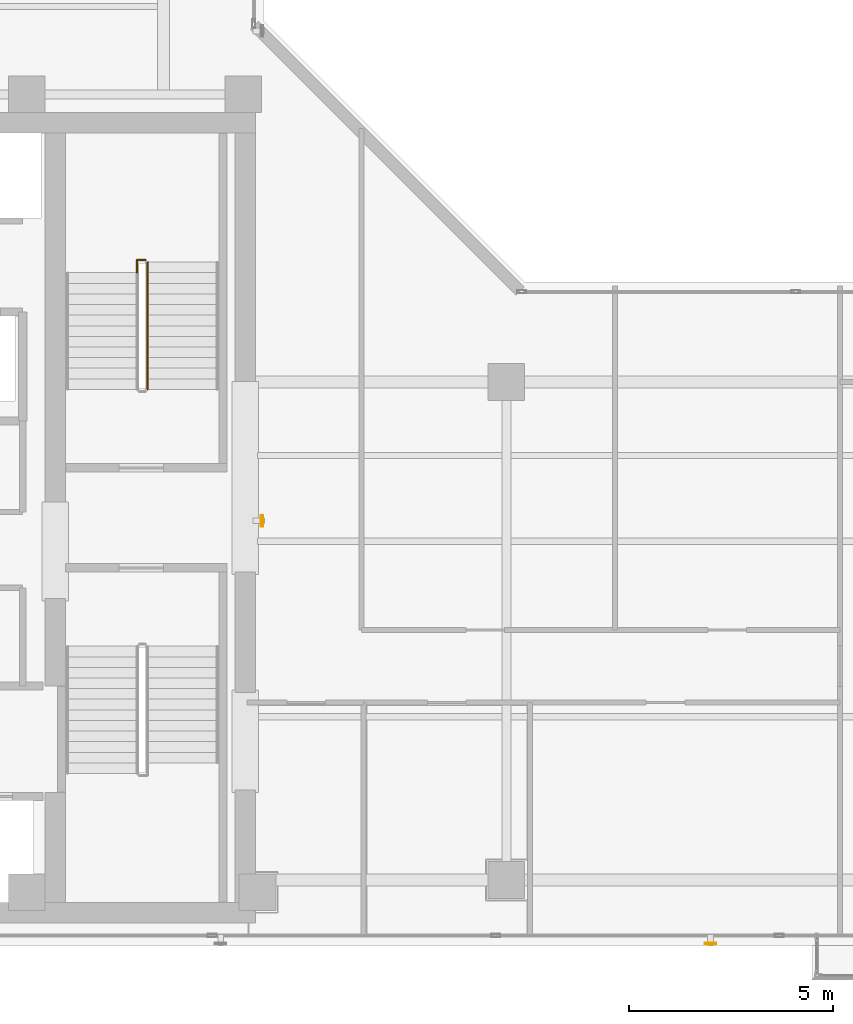
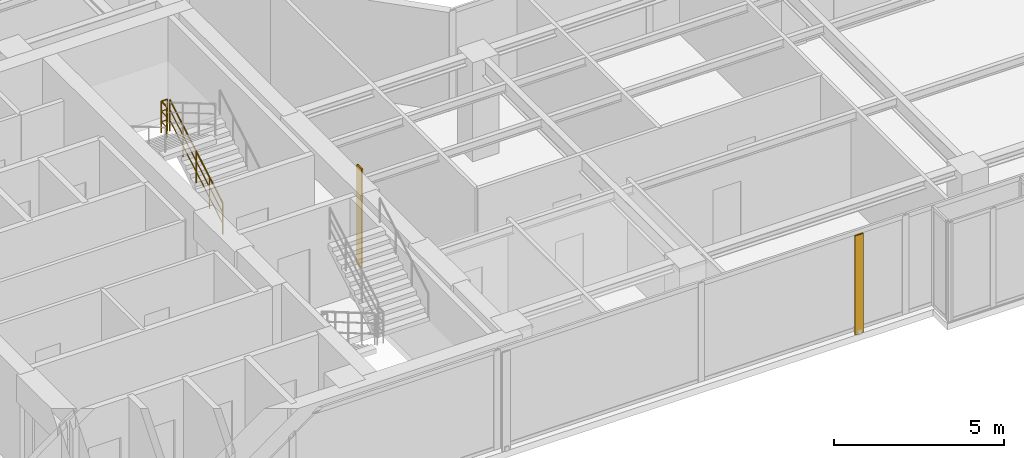
# One storey, part 21 of 24: 2 railings, 2 shading devices.
"""IFC4 building model written with IfcOpenShell, lengths in metres."""

from ifc_helpers import new_model, si_unit, direction, frame, origin, origin_2d, place, context, subcontext, project, spatial, hollow_rectangle, circle, extrude, material, material_profile, profile_set, type_object, element, save


model = new_model("IFC4")

# Units and contexts
model_context = context("Model", 3, precision=1e-05, world=origin(), true_north=direction((0.0, 1.0)))
body_context = subcontext(model_context, "Body", "Model", "MODEL_VIEW")
ifc_project = project(units=[si_unit("LENGTHUNIT", "METRE"), si_unit("AREAUNIT", "SQUARE_METRE"), si_unit("VOLUMEUNIT", "CUBIC_METRE"), si_unit("PLANEANGLEUNIT", "RADIAN"), si_unit("MASSUNIT", "GRAM", prefix="KILO")], contexts=[model_context])

# Site, building, storey
site_placement = place(None, origin())
site = spatial("IfcSite", under=ifc_project, at=site_placement, CompositionType="ELEMENT")
building_placement = place(site_placement, origin())
building = spatial("IfcBuilding", under=site, at=building_placement, Name="Kolvaren Waterfront Exchange", CompositionType="ELEMENT")
storey_placement = place(building_placement, frame((0.0, 0.0, 316.0)))
storey = spatial("IfcBuildingStorey", under=building, at=storey_placement, Name="L81", CompositionType="ELEMENT", Elevation=316.0)

# Shading devices
ifc_material_1 = material(Name="Anodised bronze aluminium 6063-T6", Category="aluminium")
ifc_material_profile = material_profile(ifc_material_1, hollow_rectangle(XDim=0.054931640625, YDim=0.280029296875, WallThickness=0.00439453125, at=origin_2d()), Name="BRZ-FIN-280x55x4.5")
ifc_profile_set = profile_set([ifc_material_profile], Name="Anodised bronze aluminium 6063-T6")
shading_device_type = type_object("IfcShadingDeviceType", Name="ARC-FIN-280", PredefinedType="USERDEFINED", material=ifc_profile_set)
for number, where, z_axis, x_axis, name in (
    (1, (32.199951171875, 3.639892578125, 0.0), (0.0, 0.0, 1.0), (0.0, -1.0, 0.0), "L81 anodised bronze solar shading fin FIN-L81-S3"),
    (2, (21.212646484375, 14.0, 0.0), (0.0, 0.0, 1.0), (1.0, 0.0, 0.0), "L81 anodised bronze solar shading fin FIN-L81-E1"),
):
    element("IfcShadingDevice", number, at=place(storey_placement, frame(where, z_axis=z_axis, x_axis=x_axis)), inside=storey, type_object=shading_device_type, Name=name, ObjectType="SOLAR FIN", PredefinedType="USERDEFINED", context=body_context, shape_type="SweptSolid", body=[
        extrude(hollow_rectangle(XDim=0.054931640625, YDim=0.280029296875, WallThickness=0.00439453125, at=origin_2d()), origin(), (0.0, 0.0, 1.0), 3.56005859375),
    ])

# Railings
ifc_material_2 = material(Name="Stainless steel 316", Category="steel")
railing_type = type_object("IfcRailingType", Name="ARC-GUARD-STAIR", PredefinedType="GUARDRAIL", material=ifc_material_2)
railing_1_placement = place(storey_placement, frame((18.409912109375, 17.219970703125, 0.152099609375)))
element("IfcRailing", 3, at=railing_1_placement, inside=storey, type_object=railing_type, Name="L81 ST2 stair guard 1", PredefinedType="GUARDRAIL", context=body_context, shape_type="SweptSolid", body=[
    extrude(circle(Radius=0.02392578125, at=origin_2d()), frame((0.0, 0.0, 1.1259765625), z_axis=(0.0, 0.86330811405, 0.504677223793), x_axis=(-1.0, 0.0, 0.0)), (0.0, 0.0, 1.0), 3.6142578125),
    extrude(circle(Radius=0.01611328125, at=origin_2d()), frame((0.0, 0.0, 0.390869140625), z_axis=(0.0, 0.86330811405, 0.504677223793), x_axis=(-1.0, 0.0, 0.0)), (0.0, 0.0, 1.0), 3.6142578125),
    extrude(circle(Radius=0.01611328125, at=origin_2d()), frame((0.0, 0.0, 0.7705078125), z_axis=(0.0, 0.86330811405, 0.504677223793), x_axis=(-1.0, 0.0, 0.0)), (0.0, 0.0, 1.0), 3.6142578125),
    extrude(circle(Radius=0.02099609375, at=origin_2d()), origin(), (0.0, 0.0, 1.0), 1.101806640625),
    extrude(circle(Radius=0.02099609375, at=origin_2d()), frame((0.0, 0.780029296875, 0.4560546875)), (0.0, 0.0, 1.0), 1.101806640625),
    extrude(circle(Radius=0.02099609375, at=origin_2d()), frame((0.0, 1.56005859375, 0.912109375)), (0.0, 0.0, 1.0), 1.101806640625),
    extrude(circle(Radius=0.02099609375, at=origin_2d()), frame((0.0, 2.340087890625, 1.367919921875)), (0.0, 0.0, 1.0), 1.101806640625),
    extrude(circle(Radius=0.02099609375, at=origin_2d()), frame((0.0, 3.1201171875, 1.823974609375)), (0.0, 0.0, 1.0), 1.101806640625),
])
railing_2_placement = place(storey_placement, frame((18.360107421875, 20.389892578125, 1.97607421875)))
element("IfcRailing", 4, at=railing_2_placement, inside=storey, type_object=railing_type, Name="L81 ST2 stair guard 2", PredefinedType="GUARDRAIL", context=body_context, shape_type="SweptSolid", body=[
    extrude(circle(Radius=0.02392578125, at=origin_2d()), frame((0.0, 0.0, 1.1259765625), z_axis=(-1.0, 0.0, 0.0), x_axis=(0.0, -1.0, 0.0)), (0.0, 0.0, 1.0), 0.210205078125),
    extrude(circle(Radius=0.01611328125, at=origin_2d()), frame((0.0, 0.0, 0.390869140625), z_axis=(-1.0, 0.0, 0.0), x_axis=(0.0, -1.0, 0.0)), (0.0, 0.0, 1.0), 0.210205078125),
    extrude(circle(Radius=0.01611328125, at=origin_2d()), frame((0.0, 0.0, 0.7705078125), z_axis=(-1.0, 0.0, 0.0), x_axis=(0.0, -1.0, 0.0)), (0.0, 0.0, 1.0), 0.210205078125),
    extrude(circle(Radius=0.02392578125, at=origin_2d()), frame((-0.210205078125, 0.0, 1.1259765625), z_axis=(0.0, -1.0, 0.0), x_axis=(1.0, 0.0, 0.0)), (0.0, 0.0, 1.0), 0.309814453125),
    extrude(circle(Radius=0.01611328125, at=origin_2d()), frame((-0.210205078125, 0.0, 0.390869140625), z_axis=(0.0, -1.0, 0.0), x_axis=(1.0, 0.0, 0.0)), (0.0, 0.0, 1.0), 0.309814453125),
    extrude(circle(Radius=0.01611328125, at=origin_2d()), frame((-0.210205078125, 0.0, 0.7705078125), z_axis=(0.0, -1.0, 0.0), x_axis=(1.0, 0.0, 0.0)), (0.0, 0.0, 1.0), 0.309814453125),
    extrude(circle(Radius=0.02099609375, at=origin_2d()), origin(), (0.0, 0.0, 1.0), 1.101806640625),
    extrude(circle(Radius=0.02099609375, at=origin_2d()), frame((-0.210205078125, 0.0, 0.0)), (0.0, 0.0, 1.0), 1.101806640625),
    extrude(circle(Radius=0.02099609375, at=origin_2d()), frame((-0.210205078125, -0.309814453125, 0.0)), (0.0, 0.0, 1.0), 1.101806640625),
])

save(model, "model.ifc")
